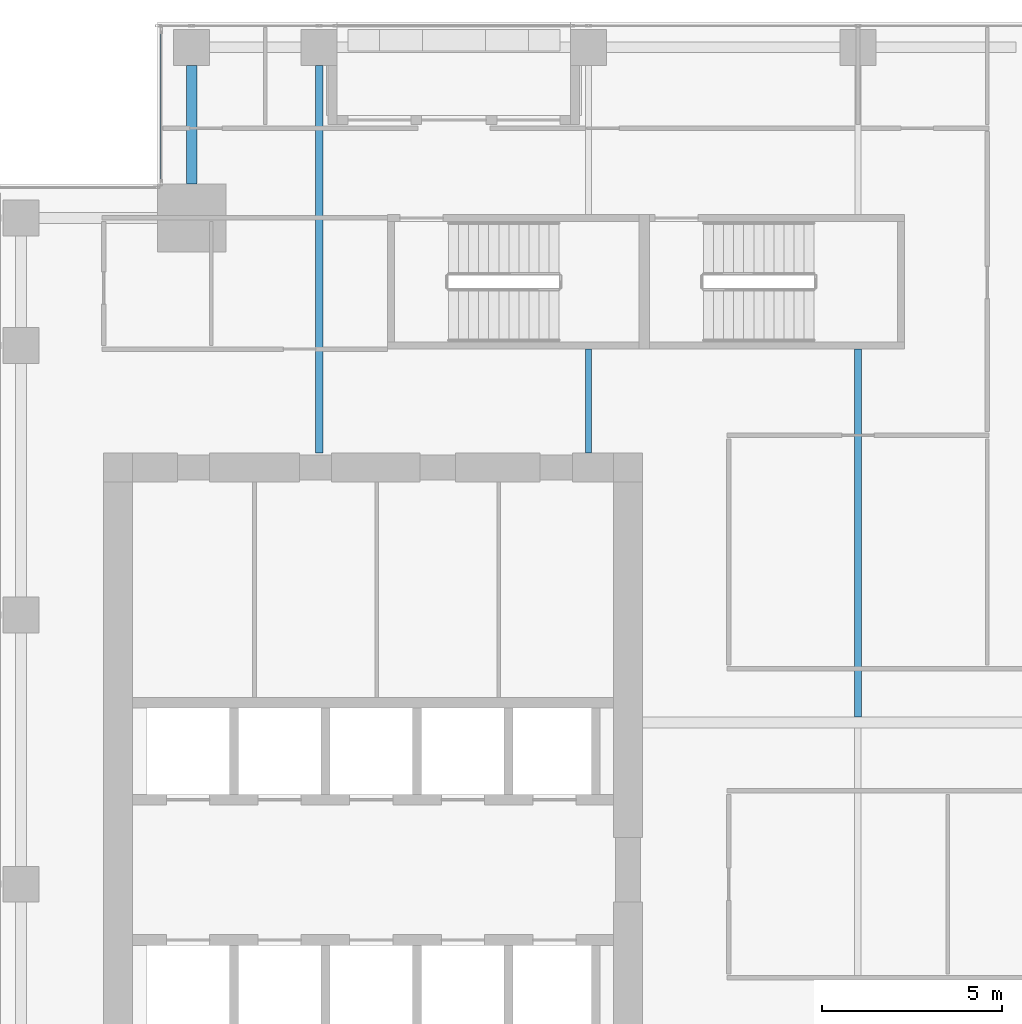
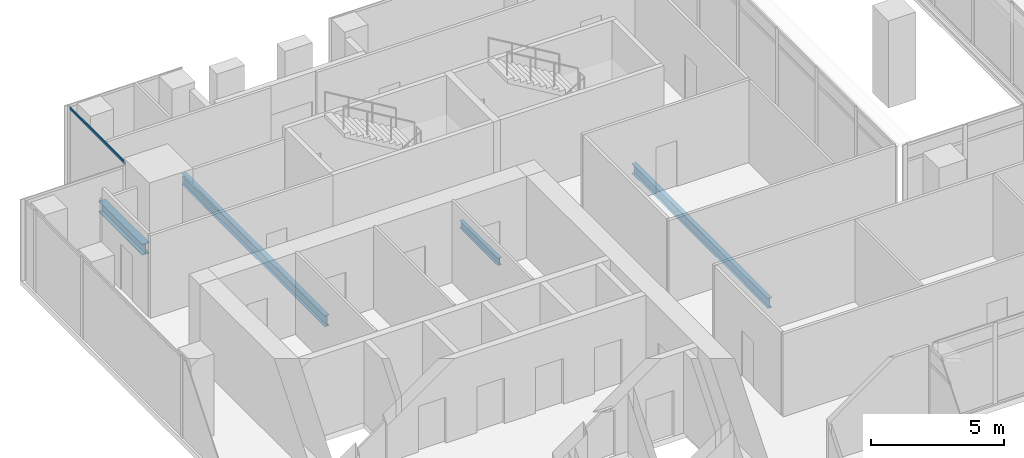
# One storey, part 19 of 40: 4 beams, 1 member, 1 element without a shape of its own.
"""IFC4 building model written with IfcOpenShell, lengths in metres."""

from ifc_helpers import new_model, si_unit, direction, frame, origin, origin_2d, place, context, subcontext, project, spatial, hollow_rectangle, i_section, extrude, source, transform, mapped, material, material_profile, profile_set, type_object, element, aggregate, save


model = new_model("IFC4")

# Units and contexts
model_context = context("Model", 3, precision=1e-05, world=origin(), true_north=direction((0.0, 1.0)))
body_context = subcontext(model_context, "Body", "Model", "MODEL_VIEW")
ifc_project = project(units=[si_unit("LENGTHUNIT", "METRE"), si_unit("AREAUNIT", "SQUARE_METRE"), si_unit("VOLUMEUNIT", "CUBIC_METRE"), si_unit("PLANEANGLEUNIT", "RADIAN"), si_unit("MASSUNIT", "GRAM", prefix="KILO")], contexts=[model_context])

# Site, building, storey
site_placement = place(None, origin())
site = spatial("IfcSite", under=ifc_project, at=site_placement, CompositionType="ELEMENT")
building_placement = place(site_placement, origin())
building = spatial("IfcBuilding", under=site, at=building_placement, Name="Khomas Fold Tower", CompositionType="ELEMENT")
storey_placement = place(building_placement, frame((0.0, 0.0, 180.699951171875)))
storey = spatial("IfcBuildingStorey", under=building, at=storey_placement, Name="L39", CompositionType="ELEMENT", Elevation=180.699951171875)

# Beams
ifc_material_1 = material(Name="Steel S355", Category="steel")
ifc_material_profile_1 = material_profile(ifc_material_1, i_section(OverallWidth=0.18994140625, OverallDepth=0.449951171875, WebThickness=0.009521484375, FlangeThickness=0.0146484375, at=origin_2d()), Name="IPE 450")
ifc_profile_set_1 = profile_set([ifc_material_profile_1], Name="Steel S355")
beam_type_1 = type_object("IfcBeamType", Name="IPE 450 beam JB4", PredefinedType="BEAM", material=ifc_profile_set_1)
shared_shape_1 = source(origin(), body_context, "Body", "SweptSolid", [
    extrude(i_section(OverallWidth=0.18994140625, OverallDepth=0.449951171875, WebThickness=0.009521484375, FlangeThickness=0.0146484375, at=origin_2d()), origin(), (0.0, 0.0, 1.0), 10.25),
])
beam_1_placement = place(storey_placement, frame((27.0, 31.64990234375, -0.474853515625), z_axis=(0.0, 1.0, 0.0), x_axis=(-1.0, 0.0, 0.0)))
element("IfcBeam", 1, at=beam_1_placement, inside=storey, type_object=beam_type_1, Name="JB4", PredefinedType="BEAM", context=body_context, shape_type="MappedRepresentation", body=[
    mapped(shared_shape_1, transform((0.0, 0.0, 0.0))),
])
ifc_material_2 = material(Name="Steel S355", Category="steel")
ifc_material_profile_2 = material_profile(ifc_material_2, i_section(OverallWidth=0.300048828125, OverallDepth=0.5, WebThickness=0.014404296875, FlangeThickness=0.028076171875, at=origin_2d()), Name="HE 500 B")
ifc_profile_set_2 = profile_set([ifc_material_profile_2], Name="Steel S355")
beam_type_2 = type_object("IfcBeamType", Name="HE 500 B spandrel SB3", PredefinedType="SPANDREL", material=ifc_profile_set_2)
shared_shape_2 = source(origin(), body_context, "Body", "SweptSolid", [
    extrude(i_section(OverallWidth=0.300048828125, OverallDepth=0.5, WebThickness=0.014404296875, FlangeThickness=0.028076171875, at=origin_2d()), origin(), (0.0, 0.0, 1.0), 3.300048828125),
])
beam_2_placement = place(storey_placement, frame((8.449951171875, 46.5, -0.5), z_axis=(0.0, 1.0, 0.0), x_axis=(-1.0, 0.0, 0.0)))
element("IfcBeam", 2, at=beam_2_placement, inside=storey, type_object=beam_type_2, Name="SB3", PredefinedType="SPANDREL", context=body_context, shape_type="MappedRepresentation", body=[
    mapped(shared_shape_2, transform((0.0, 0.0, 0.0))),
])
ifc_material_3 = material(Name="Steel S355", Category="steel")
ifc_material_profile_3 = material_profile(ifc_material_3, i_section(OverallWidth=0.199951171875, OverallDepth=0.5, WebThickness=0.01025390625, FlangeThickness=0.01611328125, at=origin_2d()), Name="IPE 500")
ifc_profile_set_3 = profile_set([ifc_material_profile_3], Name="Steel S355")
beam_type_3 = type_object("IfcBeamType", Name="IPE 500 beam JB5", PredefinedType="BEAM", material=ifc_profile_set_3)
shared_shape_3 = source(origin(), body_context, "Body", "SweptSolid", [
    extrude(i_section(OverallWidth=0.199951171875, OverallDepth=0.5, WebThickness=0.01025390625, FlangeThickness=0.01611328125, at=origin_2d()), origin(), (0.0, 0.0, 1.0), 10.800048828125),
])
beam_3_placement = place(storey_placement, frame((12.0, 39.0, -0.5), z_axis=(0.0, 1.0, 0.0), x_axis=(-1.0, 0.0, 0.0)))
element("IfcBeam", 3, at=beam_3_placement, inside=storey, type_object=beam_type_3, Name="JB5", PredefinedType="BEAM", context=body_context, shape_type="MappedRepresentation", body=[
    mapped(shared_shape_3, transform((0.0, 0.0, 0.0))),
])
ifc_material_4 = material(Name="Steel S355", Category="steel")
ifc_material_profile_4 = material_profile(ifc_material_4, i_section(OverallWidth=0.159912109375, OverallDepth=0.330078125, WebThickness=0.007568359375, FlangeThickness=0.011474609375, at=origin_2d()), Name="IPE 330")
ifc_profile_set_4 = profile_set([ifc_material_profile_4], Name="Steel S355")
beam_type_4 = type_object("IfcBeamType", Name="IPE 330 beam JB1", PredefinedType="BEAM", material=ifc_profile_set_4)
shared_shape_4 = source(origin(), body_context, "Body", "SweptSolid", [
    extrude(i_section(OverallWidth=0.159912109375, OverallDepth=0.330078125, WebThickness=0.007568359375, FlangeThickness=0.011474609375, at=origin_2d()), origin(), (0.0, 0.0, 1.0), 2.89990234375),
])
beam_4_placement = place(storey_placement, frame((19.5, 39.0, -0.4150390625), z_axis=(0.0, 1.0, 0.0), x_axis=(-1.0, 0.0, 0.0)))
element("IfcBeam", 4, at=beam_4_placement, inside=storey, type_object=beam_type_4, Name="JB1", PredefinedType="BEAM", context=body_context, shape_type="MappedRepresentation", body=[
    mapped(shared_shape_4, transform((0.0, 0.0, 0.0))),
])

# Curtain wall, member
ifc_material_5 = material(Name="Aluminium framed double glazing", Category="aluminium")
curtain_wall_type = type_object("IfcCurtainWallType", Name="SK-Unitised clear-glass wall, office floors CW2", PredefinedType="NOTDEFINED", material=ifc_material_5)
curtain_wall_placement = place(storey_placement, origin())
curtain_wall = element("IfcCurtainWall", 5, at=curtain_wall_placement, inside=storey, type_object=curtain_wall_type, Name="CW2 corner return L39 16", PredefinedType="NOTDEFINED")
ifc_material_6 = material(Name="Aluminium", Category="aluminium")
ifc_material_profile_5 = material_profile(ifc_material_6, hollow_rectangle(XDim=0.050048828125, YDim=0.110107421875, WallThickness=0.00390625, at=origin_2d()), Name="SK-Unitised clear-glass wall, office floors transom CW2-T")
ifc_profile_set_5 = profile_set([ifc_material_profile_5], Name="Aluminium")
member_type = type_object("IfcMemberType", Name="SK-Unitised clear-glass wall, office floors transom CW2-T", PredefinedType="USERDEFINED", material=ifc_profile_set_5)
shared_shape_5 = source(origin(), body_context, "Body", "SweptSolid", [
    extrude(hollow_rectangle(XDim=0.050048828125, YDim=0.110107421875, WallThickness=0.00390625, at=origin_2d()), origin(), (0.0, 0.0, 1.0), 4.179931640625),
])
member_placement = place(storey_placement, frame((7.60009765625, 50.739990234375, 3.695068359375), z_axis=(0.0, -1.0, 0.0), x_axis=(1.0, 0.0, 0.0)))
member = element("IfcMember", 6, at=member_placement, type_object=member_type, Name="CW2 transom 1", ObjectType="TRANSOM", PredefinedType="USERDEFINED", context=body_context, shape_type="MappedRepresentation", body=[
    mapped(shared_shape_5, transform((0.0, 0.0, 0.0))),
])
aggregate(curtain_wall, [member])

save(model, "model.ifc")
